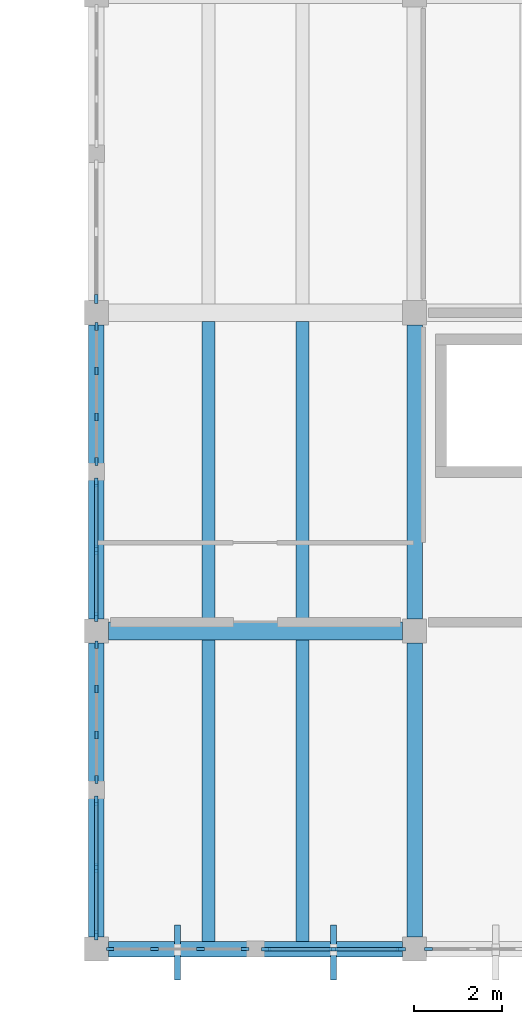
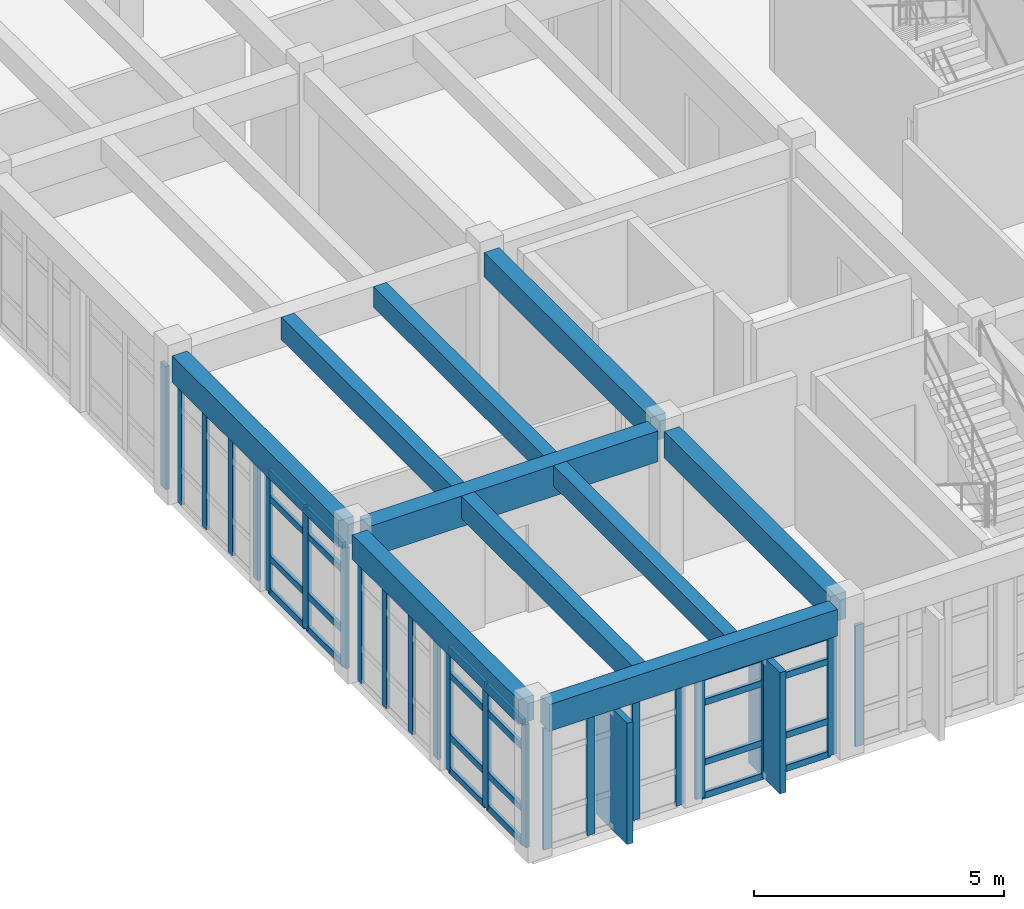
# One storey, part 2 of 22: 49 members, 10 beams, 8 elements without a shape of their own.
"""IFC4 building model written with IfcOpenShell, lengths in metres."""

from ifc_helpers import new_model, si_unit, direction, frame, origin, origin_2d, place, context, subcontext, project, spatial, rectangle, extrude, material, layer, layer_set, material_profile, profile_set, type_object, element, aggregate, save


model = new_model("IFC4")

# Units and contexts
model_context = context("Model", 3, precision=1e-05, world=origin(), true_north=direction((0.0, 1.0)))
body_context = subcontext(model_context, "Body", "Model", "MODEL_VIEW")
ifc_project = project(units=[si_unit("LENGTHUNIT", "METRE"), si_unit("AREAUNIT", "SQUARE_METRE"), si_unit("VOLUMEUNIT", "CUBIC_METRE"), si_unit("PLANEANGLEUNIT", "RADIAN"), si_unit("MASSUNIT", "GRAM", prefix="KILO")], contexts=[model_context])

# Site, building, storey
site_placement = place(None, origin())
site = spatial("IfcSite", under=ifc_project, at=site_placement, CompositionType="ELEMENT")
building_placement = place(site_placement, origin())
building = spatial("IfcBuilding", under=site, at=building_placement, Name="Koriwan Promenade Central Fire Station", CompositionType="ELEMENT")
storey_placement = place(building_placement, frame((0.0, 0.0, 17.39990234375)))
storey = spatial("IfcBuildingStorey", under=building, at=storey_placement, Name="L04", CompositionType="ELEMENT", Elevation=17.39990234375)

# Beams
ifc_material_1 = material(Name="Concrete C35/45", Category="concrete")
ifc_material_profile_1 = material_profile(ifc_material_1, rectangle(XDim=0.300048828125, YDim=0.5, at=origin_2d()), Name="RC-BM-300x500")
ifc_profile_set_1 = profile_set([ifc_material_profile_1], Name="Concrete C35/45")
beam_type_1 = type_object("IfcBeamType", Name="Beam_RC-BM-300x500", PredefinedType="JOIST", material=ifc_profile_set_1)
beam_1_placement = place(storey_placement, frame((155.864013671875, 0.175048828125, 3.3701171875), z_axis=(0.0, 1.0, 0.0), x_axis=(-1.0, 0.0, 0.0)))
element("IfcBeam", 1, at=beam_1_placement, inside=storey, type_object=beam_type_1, Name="V5 L04 secondary joist 967", PredefinedType="JOIST", context=body_context, shape_type="SweptSolid", body=[
    extrude(rectangle(XDim=0.300048828125, YDim=0.5, at=origin_2d()), origin(), (0.0, 0.0, 1.0), 6.824951171875),
])
beam_2_placement = place(storey_placement, frame((155.864013671875, 7.39990234375, 3.3701171875), z_axis=(0.0, 1.0, 0.0), x_axis=(-1.0, 0.0, 0.0)))
element("IfcBeam", 2, at=beam_2_placement, inside=storey, type_object=beam_type_1, Name="V5 L04 secondary joist 971", PredefinedType="JOIST", context=body_context, shape_type="SweptSolid", body=[
    extrude(rectangle(XDim=0.300048828125, YDim=0.5, at=origin_2d()), origin(), (0.0, 0.0, 1.0), 6.800048828125),
])
ifc_material_profile_2 = material_profile(ifc_material_1, rectangle(XDim=0.300048828125, YDim=0.550048828125, at=origin_2d()), Name="RC-BM-300x550")
ifc_profile_set_2 = profile_set([ifc_material_profile_2], Name="Concrete C35/45")
beam_type_2 = type_object("IfcBeamType", Name="Beam_RC-BM-300x550", PredefinedType="JOIST", material=ifc_profile_set_2)
beam_3_placement = place(storey_placement, frame((153.736083984375, 0.175048828125, 3.34521484375), z_axis=(0.0, 1.0, 0.0), x_axis=(-1.0, 0.0, 0.0)))
element("IfcBeam", 3, at=beam_3_placement, inside=storey, type_object=beam_type_2, Name="V5 L04 secondary joist 966", PredefinedType="JOIST", context=body_context, shape_type="SweptSolid", body=[
    extrude(rectangle(XDim=0.300048828125, YDim=0.550048828125, at=origin_2d()), origin(), (0.0, 0.0, 1.0), 6.824951171875),
])
beam_4_placement = place(storey_placement, frame((153.736083984375, 7.39990234375, 3.34521484375), z_axis=(0.0, 1.0, 0.0), x_axis=(-1.0, 0.0, 0.0)))
element("IfcBeam", 4, at=beam_4_placement, inside=storey, type_object=beam_type_2, Name="V5 L04 secondary joist 970", PredefinedType="JOIST", context=body_context, shape_type="SweptSolid", body=[
    extrude(rectangle(XDim=0.300048828125, YDim=0.550048828125, at=origin_2d()), origin(), (0.0, 0.0, 1.0), 6.800048828125),
])
ifc_material_profile_3 = material_profile(ifc_material_1, rectangle(XDim=0.35009765625, YDim=0.60009765625, at=origin_2d()), Name="RC-BM-350x600")
ifc_profile_set_3 = profile_set([ifc_material_profile_3], Name="Concrete C35/45")
beam_type_3 = type_object("IfcBeamType", Name="Beam_RC-BM-350x600", PredefinedType="BEAM", material=ifc_profile_set_3)
beam_5_placement = place(storey_placement, frame((151.199951171875, 0.27490234375, 3.320068359375), z_axis=(0.0, 1.0, 0.0), x_axis=(-1.0, 0.0, 0.0)))
element("IfcBeam", 5, at=beam_5_placement, inside=storey, type_object=beam_type_3, Name="V5 L04 girder Y-946", PredefinedType="BEAM", context=body_context, shape_type="SweptSolid", body=[
    extrude(rectangle(XDim=0.35009765625, YDim=0.60009765625, at=origin_2d()), origin(), (0.0, 0.0, 1.0), 6.650146484375),
])
beam_6_placement = place(storey_placement, frame((158.39990234375, 7.47509765625, 3.320068359375), z_axis=(0.0, 1.0, 0.0), x_axis=(-1.0, 0.0, 0.0)))
element("IfcBeam", 6, at=beam_6_placement, inside=storey, type_object=beam_type_3, Name="V5 L04 girder Y-952", PredefinedType="BEAM", context=body_context, shape_type="SweptSolid", body=[
    extrude(rectangle(XDim=0.35009765625, YDim=0.60009765625, at=origin_2d()), origin(), (0.0, 0.0, 1.0), 6.64990234375),
])
ifc_material_profile_4 = material_profile(ifc_material_1, rectangle(XDim=0.35009765625, YDim=0.64990234375, at=origin_2d()), Name="RC-BM-350x650")
ifc_profile_set_4 = profile_set([ifc_material_profile_4], Name="Concrete C35/45")
beam_type_4 = type_object("IfcBeamType", Name="Beam_RC-BM-350x650", PredefinedType="BEAM", material=ifc_profile_set_4)
beam_7_placement = place(storey_placement, frame((151.199951171875, 7.47509765625, 3.295166015625), z_axis=(0.0, 1.0, 0.0), x_axis=(-1.0, 0.0, 0.0)))
element("IfcBeam", 7, at=beam_7_placement, inside=storey, type_object=beam_type_4, Name="V5 L04 girder Y-947", PredefinedType="BEAM", context=body_context, shape_type="SweptSolid", body=[
    extrude(rectangle(XDim=0.35009765625, YDim=0.64990234375, at=origin_2d()), origin(), (0.0, 0.0, 1.0), 6.64990234375),
])
beam_8_placement = place(storey_placement, frame((158.39990234375, 0.27490234375, 3.295166015625), z_axis=(0.0, 1.0, 0.0), x_axis=(-1.0, 0.0, 0.0)))
element("IfcBeam", 8, at=beam_8_placement, inside=storey, type_object=beam_type_4, Name="V5 L04 girder Y-951", PredefinedType="BEAM", context=body_context, shape_type="SweptSolid", body=[
    extrude(rectangle(XDim=0.35009765625, YDim=0.64990234375, at=origin_2d()), origin(), (0.0, 0.0, 1.0), 6.650146484375),
])
ifc_material_profile_5 = material_profile(ifc_material_1, rectangle(XDim=0.39990234375, YDim=0.75, at=origin_2d()), Name="RC-BM-400x750")
ifc_profile_set_5 = profile_set([ifc_material_profile_5], Name="Concrete C35/45")
beam_type_5 = type_object("IfcBeamType", Name="Beam_RC-BM-400x750", PredefinedType="BEAM", material=ifc_profile_set_5)
beam_9_placement = place(storey_placement, frame((151.47509765625, 7.199951171875, 3.2451171875), z_axis=(1.0, 0.0, 0.0), x_axis=(0.0, 1.0, 0.0)))
element("IfcBeam", 9, at=beam_9_placement, inside=storey, type_object=beam_type_5, Name="V5 L04 girder X-933", PredefinedType="BEAM", context=body_context, shape_type="SweptSolid", body=[
    extrude(rectangle(XDim=0.39990234375, YDim=0.75, at=origin_2d()), origin(), (0.0, 0.0, 1.0), 6.64990234375),
])
ifc_material_profile_6 = material_profile(ifc_material_1, rectangle(XDim=0.35009765625, YDim=0.64990234375, at=origin_2d()), Name="RC-SP-350x650")
ifc_profile_set_6 = profile_set([ifc_material_profile_6], Name="Concrete C35/45")
beam_type_6 = type_object("IfcBeamType", Name="Beam_RC-SP-350x650", PredefinedType="SPANDREL", material=ifc_profile_set_6)
beam_10_placement = place(storey_placement, frame((151.47509765625, 0.0, 3.295166015625), z_axis=(1.0, 0.0, 0.0), x_axis=(0.0, 1.0, 0.0)))
element("IfcBeam", 10, at=beam_10_placement, inside=storey, type_object=beam_type_6, Name="V5 L04 girder X-930", PredefinedType="SPANDREL", context=body_context, shape_type="SweptSolid", body=[
    extrude(rectangle(XDim=0.35009765625, YDim=0.64990234375, at=origin_2d()), origin(), (0.0, 0.0, 1.0), 6.64990234375),
])

# Curtain wall, members
ifc_material_2 = material(Name="Aluminium EN AW-6063-T6 and low-E glazing", Category="aluminium")
ifc_layer_1 = layer(ifc_material_2, 0.159912109375, Name="Aluminium EN AW-6063-T6 and low-E glazing")
ifc_layer_set_1 = layer_set([ifc_layer_1], Name="Aluminium EN AW-6063-T6 and low-E glazing")
curtain_wall_type_1 = type_object("IfcCurtainWallType", Name="CurtainWall_82_312x296", PredefinedType="USERDEFINED", material=ifc_layer_set_1)
curtain_wall_1_placement = place(storey_placement, origin())
curtain_wall_1 = element("IfcCurtainWall", 11, at=curtain_wall_1_placement, inside=storey, type_object=curtain_wall_type_1, Name="V5 L04 unitised curtain wall 267", ObjectType="UNITISED CURTAIN WALL", PredefinedType="USERDEFINED")
ifc_material_3 = material(Name="Aluminium EN AW-6063-T6", Category="aluminium")
ifc_material_profile_7 = material_profile(ifc_material_3, rectangle(XDim=0.074951171875, YDim=0.179931640625, at=origin_2d()), Name="ALU-MUL-75x180")
ifc_profile_set_7 = profile_set([ifc_material_profile_7], Name="Aluminium EN AW-6063-T6")
member_type_1 = type_object("IfcMemberType", Name="CWMullion_ALU-MUL-75x180", PredefinedType="MULLION", material=ifc_profile_set_7)
member_1_placement = place(storey_placement, frame((151.199951171875, 14.08740234375, 0.0), z_axis=(0.0, 0.0, 1.0), x_axis=(1.0, 0.0, 0.0)))
member_1 = element("IfcMember", 12, at=member_1_placement, type_object=member_type_1, Name="CW-82 mullion 1", PredefinedType="MULLION", context=body_context, shape_type="SweptSolid", body=[
    extrude(rectangle(XDim=0.074951171875, YDim=0.179931640625, at=origin_2d()), origin(), (0.0, 0.0, 1.0), 2.960205078125),
])
member_2_placement = place(storey_placement, frame((151.199951171875, 13.083251953125, 0.0), z_axis=(0.0, 0.0, 1.0), x_axis=(1.0, 0.0, 0.0)))
member_2 = element("IfcMember", 13, at=member_2_placement, type_object=member_type_1, Name="CW-82 mullion 2", PredefinedType="MULLION", context=body_context, shape_type="SweptSolid", body=[
    extrude(rectangle(XDim=0.074951171875, YDim=0.179931640625, at=origin_2d()), origin(), (0.0, 0.0, 1.0), 2.960205078125),
])
member_3_placement = place(storey_placement, frame((151.199951171875, 12.041748046875, 0.0), z_axis=(0.0, 0.0, 1.0), x_axis=(1.0, 0.0, 0.0)))
member_3 = element("IfcMember", 14, at=member_3_placement, type_object=member_type_1, Name="CW-82 mullion 3", PredefinedType="MULLION", context=body_context, shape_type="SweptSolid", body=[
    extrude(rectangle(XDim=0.074951171875, YDim=0.179931640625, at=origin_2d()), origin(), (0.0, 0.0, 1.0), 2.960205078125),
])
member_4_placement = place(storey_placement, frame((151.199951171875, 11.03759765625, 0.0), z_axis=(0.0, 0.0, 1.0), x_axis=(1.0, 0.0, 0.0)))
member_4 = element("IfcMember", 15, at=member_4_placement, type_object=member_type_1, Name="CW-82 mullion 4", PredefinedType="MULLION", context=body_context, shape_type="SweptSolid", body=[
    extrude(rectangle(XDim=0.074951171875, YDim=0.179931640625, at=origin_2d()), origin(), (0.0, 0.0, 1.0), 2.960205078125),
])
aggregate(curtain_wall_1, [member_1, member_2, member_3, member_4])

ifc_layer_2 = layer(ifc_material_2, 0.159912109375, Name="Aluminium EN AW-6063-T6 and low-E glazing")
ifc_layer_set_2 = layer_set([ifc_layer_2], Name="Aluminium EN AW-6063-T6 and low-E glazing")
curtain_wall_type_2 = type_object("IfcCurtainWallType", Name="CurtainWall_84_312x301", PredefinedType="USERDEFINED", material=ifc_layer_set_2)
curtain_wall_2_placement = place(storey_placement, origin())
curtain_wall_2 = element("IfcCurtainWall", 16, at=curtain_wall_2_placement, inside=storey, type_object=curtain_wall_type_2, Name="V5 L04 unitised curtain wall 269", ObjectType="UNITISED CURTAIN WALL", PredefinedType="USERDEFINED")
member_5_placement = place(storey_placement, frame((151.199951171875, 6.887451171875, 0.0), z_axis=(0.0, 0.0, 1.0), x_axis=(1.0, 0.0, 0.0)))
member_5 = element("IfcMember", 17, at=member_5_placement, type_object=member_type_1, Name="CW-84 mullion 1", PredefinedType="MULLION", context=body_context, shape_type="SweptSolid", body=[
    extrude(rectangle(XDim=0.074951171875, YDim=0.179931640625, at=origin_2d()), origin(), (0.0, 0.0, 1.0), 3.010009765625),
])
member_6_placement = place(storey_placement, frame((151.199951171875, 5.88330078125, 0.0), z_axis=(0.0, 0.0, 1.0), x_axis=(1.0, 0.0, 0.0)))
member_6 = element("IfcMember", 18, at=member_6_placement, type_object=member_type_1, Name="CW-84 mullion 2", PredefinedType="MULLION", context=body_context, shape_type="SweptSolid", body=[
    extrude(rectangle(XDim=0.074951171875, YDim=0.179931640625, at=origin_2d()), origin(), (0.0, 0.0, 1.0), 3.010009765625),
])
member_7_placement = place(storey_placement, frame((151.199951171875, 4.841552734375, 0.0), z_axis=(0.0, 0.0, 1.0), x_axis=(1.0, 0.0, 0.0)))
member_7 = element("IfcMember", 19, at=member_7_placement, type_object=member_type_1, Name="CW-84 mullion 3", PredefinedType="MULLION", context=body_context, shape_type="SweptSolid", body=[
    extrude(rectangle(XDim=0.074951171875, YDim=0.179931640625, at=origin_2d()), origin(), (0.0, 0.0, 1.0), 3.010009765625),
])
member_8_placement = place(storey_placement, frame((151.199951171875, 3.83740234375, 0.0), z_axis=(0.0, 0.0, 1.0), x_axis=(1.0, 0.0, 0.0)))
member_8 = element("IfcMember", 20, at=member_8_placement, type_object=member_type_1, Name="CW-84 mullion 4", PredefinedType="MULLION", context=body_context, shape_type="SweptSolid", body=[
    extrude(rectangle(XDim=0.074951171875, YDim=0.179931640625, at=origin_2d()), origin(), (0.0, 0.0, 1.0), 3.010009765625),
])
aggregate(curtain_wall_2, [member_5, member_6, member_7, member_8])

curtain_wall_3_placement = place(storey_placement, origin())
curtain_wall_3 = element("IfcCurtainWall", 21, at=curtain_wall_3_placement, inside=storey, type_object=curtain_wall_type_1, Name="V5 L04 unitised curtain wall 271", ObjectType="UNITISED CURTAIN WALL", PredefinedType="USERDEFINED")
member_9_placement = place(storey_placement, frame((151.512451171875, 0.0, 0.0), z_axis=(0.0, 0.0, 1.0), x_axis=(0.0, 1.0, 0.0)))
member_9 = element("IfcMember", 22, at=member_9_placement, type_object=member_type_1, Name="CW-82 mullion 1", PredefinedType="MULLION", context=body_context, shape_type="SweptSolid", body=[
    extrude(rectangle(XDim=0.074951171875, YDim=0.179931640625, at=origin_2d()), origin(), (0.0, 0.0, 1.0), 2.960205078125),
])
member_10_placement = place(storey_placement, frame((152.5166015625, 0.0, 0.0), z_axis=(0.0, 0.0, 1.0), x_axis=(0.0, 1.0, 0.0)))
member_10 = element("IfcMember", 23, at=member_10_placement, type_object=member_type_1, Name="CW-82 mullion 2", PredefinedType="MULLION", context=body_context, shape_type="SweptSolid", body=[
    extrude(rectangle(XDim=0.074951171875, YDim=0.179931640625, at=origin_2d()), origin(), (0.0, 0.0, 1.0), 2.960205078125),
])
member_11_placement = place(storey_placement, frame((153.558349609375, 0.0, 0.0), z_axis=(0.0, 0.0, 1.0), x_axis=(0.0, 1.0, 0.0)))
member_11 = element("IfcMember", 24, at=member_11_placement, type_object=member_type_1, Name="CW-82 mullion 3", PredefinedType="MULLION", context=body_context, shape_type="SweptSolid", body=[
    extrude(rectangle(XDim=0.074951171875, YDim=0.179931640625, at=origin_2d()), origin(), (0.0, 0.0, 1.0), 2.960205078125),
])
member_12_placement = place(storey_placement, frame((154.5625, 0.0, 0.0), z_axis=(0.0, 0.0, 1.0), x_axis=(0.0, 1.0, 0.0)))
member_12 = element("IfcMember", 25, at=member_12_placement, type_object=member_type_1, Name="CW-82 mullion 4", PredefinedType="MULLION", context=body_context, shape_type="SweptSolid", body=[
    extrude(rectangle(XDim=0.074951171875, YDim=0.179931640625, at=origin_2d()), origin(), (0.0, 0.0, 1.0), 2.960205078125),
])
aggregate(curtain_wall_3, [member_9, member_10, member_11, member_12])

# Curtain wall, member
curtain_wall_4_placement = place(storey_placement, origin())
curtain_wall_4 = element("IfcCurtainWall", 26, at=curtain_wall_4_placement, inside=storey, type_object=curtain_wall_type_1, Name="V5 L04 unitised curtain wall 273", ObjectType="UNITISED CURTAIN WALL", PredefinedType="USERDEFINED")
member_13_placement = place(storey_placement, frame((158.71240234375, 0.0, 0.0), z_axis=(0.0, 0.0, 1.0), x_axis=(0.0, 1.0, 0.0)))
member_13 = element("IfcMember", 27, at=member_13_placement, type_object=member_type_1, Name="CW-82 mullion 1", PredefinedType="MULLION", context=body_context, shape_type="SweptSolid", body=[
    extrude(rectangle(XDim=0.074951171875, YDim=0.179931640625, at=origin_2d()), origin(), (0.0, 0.0, 1.0), 2.960205078125),
])
aggregate(curtain_wall_4, [member_13])

ifc_layer_3 = layer(ifc_material_2, 0.159912109375, Name="Aluminium EN AW-6063-T6 and low-E glazing")
ifc_layer_set_3 = layer_set([ifc_layer_3], Name="Aluminium EN AW-6063-T6 and low-E glazing")
curtain_wall_type_3 = type_object("IfcCurtainWallType", Name="CurtainWall_85_312x301", PredefinedType="USERDEFINED", material=ifc_layer_set_3)
curtain_wall_5_placement = place(storey_placement, origin())
curtain_wall_5 = element("IfcCurtainWall", 28, at=curtain_wall_5_placement, inside=storey, type_object=curtain_wall_type_3, Name="V5 L04 unitised curtain wall 266", ObjectType="UNITISED CURTAIN WALL", PredefinedType="USERDEFINED")
ifc_material_profile_8 = material_profile(ifc_material_3, rectangle(XDim=0.080078125, YDim=0.2099609375, at=origin_2d()), Name="ALU-MUL-80x210")
ifc_profile_set_8 = profile_set([ifc_material_profile_8], Name="Aluminium EN AW-6063-T6")
member_type_2 = type_object("IfcMemberType", Name="CWMullion_ALU-MUL-80x210", PredefinedType="MULLION", material=ifc_profile_set_8)
member_14_placement = place(storey_placement, frame((151.199951171875, 14.715087890625, 0.0), z_axis=(0.0, 0.0, 1.0), x_axis=(1.0, 0.0, 0.0)))
member_14 = element("IfcMember", 29, at=member_14_placement, type_object=member_type_2, Name="CW-85 mullion 3", PredefinedType="MULLION", context=body_context, shape_type="SweptSolid", body=[
    extrude(rectangle(XDim=0.080078125, YDim=0.2099609375, at=origin_2d()), origin(), (0.0, 0.0, 1.0), 3.010009765625),
])
aggregate(curtain_wall_5, [member_14])

# Curtain wall, members
ifc_layer_4 = layer(ifc_material_2, 0.159912109375, Name="Aluminium EN AW-6063-T6 and low-E glazing")
ifc_layer_set_4 = layer_set([ifc_layer_4], Name="Aluminium EN AW-6063-T6 and low-E glazing")
curtain_wall_type_4 = type_object("IfcCurtainWallType", Name="CurtainWall_83_312x296", PredefinedType="USERDEFINED", material=ifc_layer_set_4)
curtain_wall_6_placement = place(storey_placement, origin())
curtain_wall_6 = element("IfcCurtainWall", 30, at=curtain_wall_6_placement, inside=storey, type_object=curtain_wall_type_4, Name="V5 L04 unitised curtain wall 268", ObjectType="UNITISED CURTAIN WALL", PredefinedType="USERDEFINED")
member_15_placement = place(storey_placement, frame((151.199951171875, 10.56005859375, 0.0), z_axis=(0.0, 0.0, 1.0), x_axis=(1.0, 0.0, 0.0)))
member_15 = element("IfcMember", 31, at=member_15_placement, type_object=member_type_2, Name="CW-83 mullion 1", PredefinedType="MULLION", context=body_context, shape_type="SweptSolid", body=[
    extrude(rectangle(XDim=0.080078125, YDim=0.2099609375, at=origin_2d()), origin(), (0.0, 0.0, 1.0), 2.960205078125),
])
member_16_placement = place(storey_placement, frame((151.199951171875, 9.03759765625, 0.0), z_axis=(0.0, 0.0, 1.0), x_axis=(1.0, 0.0, 0.0)))
member_16 = element("IfcMember", 32, at=member_16_placement, type_object=member_type_2, Name="CW-83 mullion 2", PredefinedType="MULLION", context=body_context, shape_type="SweptSolid", body=[
    extrude(rectangle(XDim=0.080078125, YDim=0.2099609375, at=origin_2d()), origin(), (0.0, 0.0, 1.0), 2.960205078125),
])
member_17_placement = place(storey_placement, frame((151.199951171875, 7.514892578125, 0.0), z_axis=(0.0, 0.0, 1.0), x_axis=(1.0, 0.0, 0.0)))
member_17 = element("IfcMember", 33, at=member_17_placement, type_object=member_type_2, Name="CW-83 mullion 3", PredefinedType="MULLION", context=body_context, shape_type="SweptSolid", body=[
    extrude(rectangle(XDim=0.080078125, YDim=0.2099609375, at=origin_2d()), origin(), (0.0, 0.0, 1.0), 2.960205078125),
])

curtain_wall_7_placement = place(storey_placement, origin())
curtain_wall_7 = element("IfcCurtainWall", 34, at=curtain_wall_7_placement, inside=storey, type_object=curtain_wall_type_3, Name="V5 L04 unitised curtain wall 270", ObjectType="UNITISED CURTAIN WALL", PredefinedType="USERDEFINED")
member_18_placement = place(storey_placement, frame((151.199951171875, 3.360107421875, 0.0), z_axis=(0.0, 0.0, 1.0), x_axis=(1.0, 0.0, 0.0)))
member_18 = element("IfcMember", 35, at=member_18_placement, type_object=member_type_2, Name="CW-85 mullion 1", PredefinedType="MULLION", context=body_context, shape_type="SweptSolid", body=[
    extrude(rectangle(XDim=0.080078125, YDim=0.2099609375, at=origin_2d()), origin(), (0.0, 0.0, 1.0), 3.010009765625),
])
member_19_placement = place(storey_placement, frame((151.199951171875, 1.83740234375, 0.0), z_axis=(0.0, 0.0, 1.0), x_axis=(1.0, 0.0, 0.0)))
member_19 = element("IfcMember", 36, at=member_19_placement, type_object=member_type_2, Name="CW-85 mullion 2", PredefinedType="MULLION", context=body_context, shape_type="SweptSolid", body=[
    extrude(rectangle(XDim=0.080078125, YDim=0.2099609375, at=origin_2d()), origin(), (0.0, 0.0, 1.0), 3.010009765625),
])
member_20_placement = place(storey_placement, frame((151.199951171875, 0.31494140625, 0.0), z_axis=(0.0, 0.0, 1.0), x_axis=(1.0, 0.0, 0.0)))
member_20 = element("IfcMember", 37, at=member_20_placement, type_object=member_type_2, Name="CW-85 mullion 3", PredefinedType="MULLION", context=body_context, shape_type="SweptSolid", body=[
    extrude(rectangle(XDim=0.080078125, YDim=0.2099609375, at=origin_2d()), origin(), (0.0, 0.0, 1.0), 3.010009765625),
])

curtain_wall_8_placement = place(storey_placement, origin())
curtain_wall_8 = element("IfcCurtainWall", 38, at=curtain_wall_8_placement, inside=storey, type_object=curtain_wall_type_4, Name="V5 L04 unitised curtain wall 272", ObjectType="UNITISED CURTAIN WALL", PredefinedType="USERDEFINED")
member_21_placement = place(storey_placement, frame((155.0400390625, 0.0, 0.0), z_axis=(0.0, 0.0, 1.0), x_axis=(0.0, 1.0, 0.0)))
member_21 = element("IfcMember", 39, at=member_21_placement, type_object=member_type_2, Name="CW-83 mullion 1", PredefinedType="MULLION", context=body_context, shape_type="SweptSolid", body=[
    extrude(rectangle(XDim=0.080078125, YDim=0.2099609375, at=origin_2d()), origin(), (0.0, 0.0, 1.0), 2.960205078125),
])
member_22_placement = place(storey_placement, frame((156.5625, 0.0, 0.0), z_axis=(0.0, 0.0, 1.0), x_axis=(0.0, 1.0, 0.0)))
member_22 = element("IfcMember", 40, at=member_22_placement, type_object=member_type_2, Name="CW-83 mullion 2", PredefinedType="MULLION", context=body_context, shape_type="SweptSolid", body=[
    extrude(rectangle(XDim=0.080078125, YDim=0.2099609375, at=origin_2d()), origin(), (0.0, 0.0, 1.0), 2.960205078125),
])
member_23_placement = place(storey_placement, frame((158.0849609375, 0.0, 0.0), z_axis=(0.0, 0.0, 1.0), x_axis=(0.0, 1.0, 0.0)))
member_23 = element("IfcMember", 41, at=member_23_placement, type_object=member_type_2, Name="CW-83 mullion 3", PredefinedType="MULLION", context=body_context, shape_type="SweptSolid", body=[
    extrude(rectangle(XDim=0.080078125, YDim=0.2099609375, at=origin_2d()), origin(), (0.0, 0.0, 1.0), 2.960205078125),
])

# Member
ifc_material_profile_9 = material_profile(ifc_material_3, rectangle(XDim=0.080078125, YDim=0.155029296875, at=origin_2d()), Name="ALU-TRN-80x155")
ifc_profile_set_9 = profile_set([ifc_material_profile_9], Name="Aluminium EN AW-6063-T6")
member_type_3 = type_object("IfcMemberType", Name="CWTransom_ALU-TRN-80x155", PredefinedType="USERDEFINED", material=ifc_profile_set_9)
member_24_placement = place(storey_placement, frame((151.199951171875, 10.52001953125, 0.0400390625), z_axis=(0.0, -1.0, 0.0), x_axis=(1.0, 0.0, 0.0)))
member_24 = element("IfcMember", 42, at=member_24_placement, type_object=member_type_3, Name="CW-83 transom 1.1", ObjectType="TRANSOM", PredefinedType="USERDEFINED", context=body_context, shape_type="SweptSolid", body=[
    extrude(rectangle(XDim=0.080078125, YDim=0.155029296875, at=origin_2d()), origin(), (0.0, 0.0, 1.0), 1.442626953125),
])

member_25_placement = place(storey_placement, frame((151.199951171875, 10.52001953125, 0.85009765625), z_axis=(0.0, -1.0, 0.0), x_axis=(1.0, 0.0, 0.0)))
member_25 = element("IfcMember", 43, at=member_25_placement, type_object=member_type_3, Name="CW-83 transom 1.2", ObjectType="TRANSOM", PredefinedType="USERDEFINED", context=body_context, shape_type="SweptSolid", body=[
    extrude(rectangle(XDim=0.080078125, YDim=0.155029296875, at=origin_2d()), origin(), (0.0, 0.0, 1.0), 1.442626953125),
])

member_26_placement = place(storey_placement, frame((151.199951171875, 10.52001953125, 2.31005859375), z_axis=(0.0, -1.0, 0.0), x_axis=(1.0, 0.0, 0.0)))
member_26 = element("IfcMember", 44, at=member_26_placement, type_object=member_type_3, Name="CW-83 transom 1.3", ObjectType="TRANSOM", PredefinedType="USERDEFINED", context=body_context, shape_type="SweptSolid", body=[
    extrude(rectangle(XDim=0.080078125, YDim=0.155029296875, at=origin_2d()), origin(), (0.0, 0.0, 1.0), 1.442626953125),
])

member_27_placement = place(storey_placement, frame((151.199951171875, 10.52001953125, 2.920166015625), z_axis=(0.0, -1.0, 0.0), x_axis=(1.0, 0.0, 0.0)))
member_27 = element("IfcMember", 45, at=member_27_placement, type_object=member_type_3, Name="CW-83 transom 1.4", ObjectType="TRANSOM", PredefinedType="USERDEFINED", context=body_context, shape_type="SweptSolid", body=[
    extrude(rectangle(XDim=0.080078125, YDim=0.155029296875, at=origin_2d()), origin(), (0.0, 0.0, 1.0), 1.442626953125),
])

member_28_placement = place(storey_placement, frame((151.199951171875, 8.99755859375, 0.0400390625), z_axis=(0.0, -1.0, 0.0), x_axis=(1.0, 0.0, 0.0)))
member_28 = element("IfcMember", 46, at=member_28_placement, type_object=member_type_3, Name="CW-83 transom 2.1", ObjectType="TRANSOM", PredefinedType="USERDEFINED", context=body_context, shape_type="SweptSolid", body=[
    extrude(rectangle(XDim=0.080078125, YDim=0.155029296875, at=origin_2d()), origin(), (0.0, 0.0, 1.0), 1.442626953125),
])

member_29_placement = place(storey_placement, frame((151.199951171875, 8.99755859375, 0.85009765625), z_axis=(0.0, -1.0, 0.0), x_axis=(1.0, 0.0, 0.0)))
member_29 = element("IfcMember", 47, at=member_29_placement, type_object=member_type_3, Name="CW-83 transom 2.2", ObjectType="TRANSOM", PredefinedType="USERDEFINED", context=body_context, shape_type="SweptSolid", body=[
    extrude(rectangle(XDim=0.080078125, YDim=0.155029296875, at=origin_2d()), origin(), (0.0, 0.0, 1.0), 1.442626953125),
])

member_30_placement = place(storey_placement, frame((151.199951171875, 8.99755859375, 2.31005859375), z_axis=(0.0, -1.0, 0.0), x_axis=(1.0, 0.0, 0.0)))
member_30 = element("IfcMember", 48, at=member_30_placement, type_object=member_type_3, Name="CW-83 transom 2.3", ObjectType="TRANSOM", PredefinedType="USERDEFINED", context=body_context, shape_type="SweptSolid", body=[
    extrude(rectangle(XDim=0.080078125, YDim=0.155029296875, at=origin_2d()), origin(), (0.0, 0.0, 1.0), 1.442626953125),
])

member_31_placement = place(storey_placement, frame((151.199951171875, 8.99755859375, 2.920166015625), z_axis=(0.0, -1.0, 0.0), x_axis=(1.0, 0.0, 0.0)))
member_31 = element("IfcMember", 49, at=member_31_placement, type_object=member_type_3, Name="CW-83 transom 2.4", ObjectType="TRANSOM", PredefinedType="USERDEFINED", context=body_context, shape_type="SweptSolid", body=[
    extrude(rectangle(XDim=0.080078125, YDim=0.155029296875, at=origin_2d()), origin(), (0.0, 0.0, 1.0), 1.442626953125),
])

aggregate(curtain_wall_6, [member_15, member_16, member_17, member_24, member_25, member_26, member_27, member_28, member_29, member_30, member_31])

member_32_placement = place(storey_placement, frame((151.199951171875, 3.320068359375, 0.0400390625), z_axis=(0.0, -1.0, 0.0), x_axis=(1.0, 0.0, 0.0)))
member_32 = element("IfcMember", 50, at=member_32_placement, type_object=member_type_3, Name="CW-85 transom 1.1", ObjectType="TRANSOM", PredefinedType="USERDEFINED", context=body_context, shape_type="SweptSolid", body=[
    extrude(rectangle(XDim=0.080078125, YDim=0.155029296875, at=origin_2d()), origin(), (0.0, 0.0, 1.0), 1.442626953125),
])

member_33_placement = place(storey_placement, frame((151.199951171875, 3.320068359375, 0.85009765625), z_axis=(0.0, -1.0, 0.0), x_axis=(1.0, 0.0, 0.0)))
member_33 = element("IfcMember", 51, at=member_33_placement, type_object=member_type_3, Name="CW-85 transom 1.2", ObjectType="TRANSOM", PredefinedType="USERDEFINED", context=body_context, shape_type="SweptSolid", body=[
    extrude(rectangle(XDim=0.080078125, YDim=0.155029296875, at=origin_2d()), origin(), (0.0, 0.0, 1.0), 1.442626953125),
])

member_34_placement = place(storey_placement, frame((151.199951171875, 3.320068359375, 2.360107421875), z_axis=(0.0, -1.0, 0.0), x_axis=(1.0, 0.0, 0.0)))
member_34 = element("IfcMember", 52, at=member_34_placement, type_object=member_type_3, Name="CW-85 transom 1.3", ObjectType="TRANSOM", PredefinedType="USERDEFINED", context=body_context, shape_type="SweptSolid", body=[
    extrude(rectangle(XDim=0.080078125, YDim=0.155029296875, at=origin_2d()), origin(), (0.0, 0.0, 1.0), 1.442626953125),
])

member_35_placement = place(storey_placement, frame((151.199951171875, 3.320068359375, 2.97021484375), z_axis=(0.0, -1.0, 0.0), x_axis=(1.0, 0.0, 0.0)))
member_35 = element("IfcMember", 53, at=member_35_placement, type_object=member_type_3, Name="CW-85 transom 1.4", ObjectType="TRANSOM", PredefinedType="USERDEFINED", context=body_context, shape_type="SweptSolid", body=[
    extrude(rectangle(XDim=0.080078125, YDim=0.155029296875, at=origin_2d()), origin(), (0.0, 0.0, 1.0), 1.442626953125),
])

member_36_placement = place(storey_placement, frame((151.199951171875, 1.797607421875, 0.0400390625), z_axis=(0.0, -1.0, 0.0), x_axis=(1.0, 0.0, 0.0)))
member_36 = element("IfcMember", 54, at=member_36_placement, type_object=member_type_3, Name="CW-85 transom 2.1", ObjectType="TRANSOM", PredefinedType="USERDEFINED", context=body_context, shape_type="SweptSolid", body=[
    extrude(rectangle(XDim=0.080078125, YDim=0.155029296875, at=origin_2d()), origin(), (0.0, 0.0, 1.0), 1.442626953125),
])

member_37_placement = place(storey_placement, frame((151.199951171875, 1.797607421875, 0.85009765625), z_axis=(0.0, -1.0, 0.0), x_axis=(1.0, 0.0, 0.0)))
member_37 = element("IfcMember", 55, at=member_37_placement, type_object=member_type_3, Name="CW-85 transom 2.2", ObjectType="TRANSOM", PredefinedType="USERDEFINED", context=body_context, shape_type="SweptSolid", body=[
    extrude(rectangle(XDim=0.080078125, YDim=0.155029296875, at=origin_2d()), origin(), (0.0, 0.0, 1.0), 1.442626953125),
])

member_38_placement = place(storey_placement, frame((151.199951171875, 1.797607421875, 2.360107421875), z_axis=(0.0, -1.0, 0.0), x_axis=(1.0, 0.0, 0.0)))
member_38 = element("IfcMember", 56, at=member_38_placement, type_object=member_type_3, Name="CW-85 transom 2.3", ObjectType="TRANSOM", PredefinedType="USERDEFINED", context=body_context, shape_type="SweptSolid", body=[
    extrude(rectangle(XDim=0.080078125, YDim=0.155029296875, at=origin_2d()), origin(), (0.0, 0.0, 1.0), 1.442626953125),
])

member_39_placement = place(storey_placement, frame((151.199951171875, 1.797607421875, 2.97021484375), z_axis=(0.0, -1.0, 0.0), x_axis=(1.0, 0.0, 0.0)))
member_39 = element("IfcMember", 57, at=member_39_placement, type_object=member_type_3, Name="CW-85 transom 2.4", ObjectType="TRANSOM", PredefinedType="USERDEFINED", context=body_context, shape_type="SweptSolid", body=[
    extrude(rectangle(XDim=0.080078125, YDim=0.155029296875, at=origin_2d()), origin(), (0.0, 0.0, 1.0), 1.442626953125),
])

aggregate(curtain_wall_7, [member_18, member_19, member_20, member_32, member_33, member_34, member_35, member_36, member_37, member_38, member_39])

member_40_placement = place(storey_placement, frame((155.080078125, 0.0, 0.0400390625), z_axis=(1.0, 0.0, 0.0), x_axis=(0.0, 1.0, 0.0)))
member_40 = element("IfcMember", 58, at=member_40_placement, type_object=member_type_3, Name="CW-83 transom 1.1", ObjectType="TRANSOM", PredefinedType="USERDEFINED", context=body_context, shape_type="SweptSolid", body=[
    extrude(rectangle(XDim=0.080078125, YDim=0.155029296875, at=origin_2d()), origin(), (0.0, 0.0, 1.0), 1.4423828125),
])

member_41_placement = place(storey_placement, frame((155.080078125, 0.0, 0.85009765625), z_axis=(1.0, 0.0, 0.0), x_axis=(0.0, 1.0, 0.0)))
member_41 = element("IfcMember", 59, at=member_41_placement, type_object=member_type_3, Name="CW-83 transom 1.2", ObjectType="TRANSOM", PredefinedType="USERDEFINED", context=body_context, shape_type="SweptSolid", body=[
    extrude(rectangle(XDim=0.080078125, YDim=0.155029296875, at=origin_2d()), origin(), (0.0, 0.0, 1.0), 1.4423828125),
])

member_42_placement = place(storey_placement, frame((155.080078125, 0.0, 2.31005859375), z_axis=(1.0, 0.0, 0.0), x_axis=(0.0, 1.0, 0.0)))
member_42 = element("IfcMember", 60, at=member_42_placement, type_object=member_type_3, Name="CW-83 transom 1.3", ObjectType="TRANSOM", PredefinedType="USERDEFINED", context=body_context, shape_type="SweptSolid", body=[
    extrude(rectangle(XDim=0.080078125, YDim=0.155029296875, at=origin_2d()), origin(), (0.0, 0.0, 1.0), 1.4423828125),
])

member_43_placement = place(storey_placement, frame((155.080078125, 0.0, 2.920166015625), z_axis=(1.0, 0.0, 0.0), x_axis=(0.0, 1.0, 0.0)))
member_43 = element("IfcMember", 61, at=member_43_placement, type_object=member_type_3, Name="CW-83 transom 1.4", ObjectType="TRANSOM", PredefinedType="USERDEFINED", context=body_context, shape_type="SweptSolid", body=[
    extrude(rectangle(XDim=0.080078125, YDim=0.155029296875, at=origin_2d()), origin(), (0.0, 0.0, 1.0), 1.4423828125),
])

member_44_placement = place(storey_placement, frame((156.6025390625, 0.0, 0.0400390625), z_axis=(1.0, 0.0, 0.0), x_axis=(0.0, 1.0, 0.0)))
member_44 = element("IfcMember", 62, at=member_44_placement, type_object=member_type_3, Name="CW-83 transom 2.1", ObjectType="TRANSOM", PredefinedType="USERDEFINED", context=body_context, shape_type="SweptSolid", body=[
    extrude(rectangle(XDim=0.080078125, YDim=0.155029296875, at=origin_2d()), origin(), (0.0, 0.0, 1.0), 1.4423828125),
])

member_45_placement = place(storey_placement, frame((156.6025390625, 0.0, 0.85009765625), z_axis=(1.0, 0.0, 0.0), x_axis=(0.0, 1.0, 0.0)))
member_45 = element("IfcMember", 63, at=member_45_placement, type_object=member_type_3, Name="CW-83 transom 2.2", ObjectType="TRANSOM", PredefinedType="USERDEFINED", context=body_context, shape_type="SweptSolid", body=[
    extrude(rectangle(XDim=0.080078125, YDim=0.155029296875, at=origin_2d()), origin(), (0.0, 0.0, 1.0), 1.4423828125),
])

member_46_placement = place(storey_placement, frame((156.6025390625, 0.0, 2.31005859375), z_axis=(1.0, 0.0, 0.0), x_axis=(0.0, 1.0, 0.0)))
member_46 = element("IfcMember", 64, at=member_46_placement, type_object=member_type_3, Name="CW-83 transom 2.3", ObjectType="TRANSOM", PredefinedType="USERDEFINED", context=body_context, shape_type="SweptSolid", body=[
    extrude(rectangle(XDim=0.080078125, YDim=0.155029296875, at=origin_2d()), origin(), (0.0, 0.0, 1.0), 1.4423828125),
])

member_47_placement = place(storey_placement, frame((156.6025390625, 0.0, 2.920166015625), z_axis=(1.0, 0.0, 0.0), x_axis=(0.0, 1.0, 0.0)))
member_47 = element("IfcMember", 65, at=member_47_placement, type_object=member_type_3, Name="CW-83 transom 2.4", ObjectType="TRANSOM", PredefinedType="USERDEFINED", context=body_context, shape_type="SweptSolid", body=[
    extrude(rectangle(XDim=0.080078125, YDim=0.155029296875, at=origin_2d()), origin(), (0.0, 0.0, 1.0), 1.4423828125),
])

aggregate(curtain_wall_8, [member_21, member_22, member_23, member_40, member_41, member_42, member_43, member_44, member_45, member_46, member_47])

# Members
ifc_material_4 = material(Name="Aluminium EN AW-6063-T6 terracotta finish", Category="masonry")
ifc_material_profile_10 = material_profile(ifc_material_4, rectangle(XDim=0.139892578125, YDim=1.25, at=origin_2d()), Name="FIN-TRC-140x1250")
ifc_profile_set_10 = profile_set([ifc_material_profile_10], Name="Aluminium EN AW-6063-T6 terracotta finish")
member_type_4 = type_object("IfcMemberType", Name="SolarFin_FIN-TRC-140x1250", PredefinedType="USERDEFINED", material=ifc_profile_set_10)
for number, where, z_axis, x_axis, name in (
    (66, (153.03759765625, -0.074951171875, 0.0), (0.0, 0.0, 1.0), (-1.0, 0.0, 0.0), "V5 L04 terracotta solar fin 095"),
    (67, (156.5625, -0.074951171875, 0.0), (0.0, 0.0, 1.0), (-1.0, 0.0, 0.0), "V5 L04 terracotta solar fin 096"),
):
    element("IfcMember", number, at=place(storey_placement, frame(where, z_axis=z_axis, x_axis=x_axis)), inside=storey, type_object=member_type_4, Name=name, ObjectType="SOLAR FIN", PredefinedType="USERDEFINED", context=body_context, shape_type="SweptSolid", body=[
        extrude(rectangle(XDim=0.139892578125, YDim=1.25, at=origin_2d()), origin(), (0.0, 0.0, 1.0), 2.960205078125),
    ])

save(model, "model.ifc")
